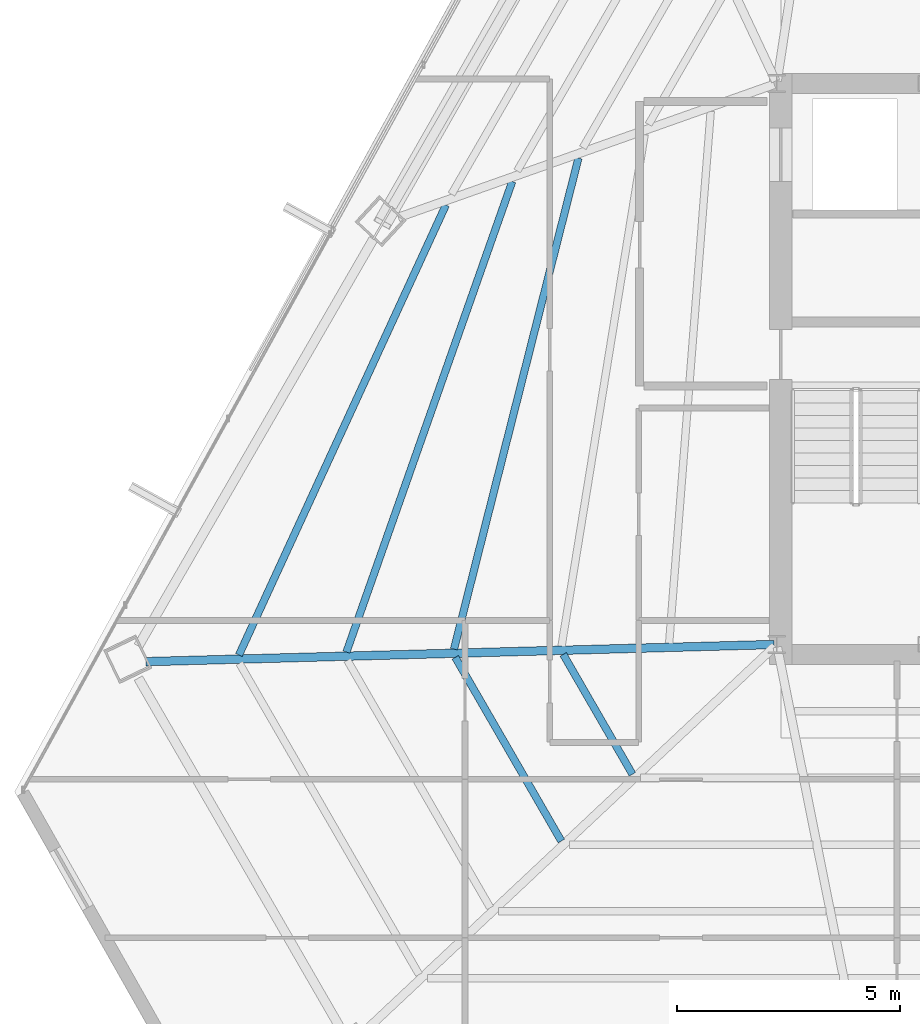
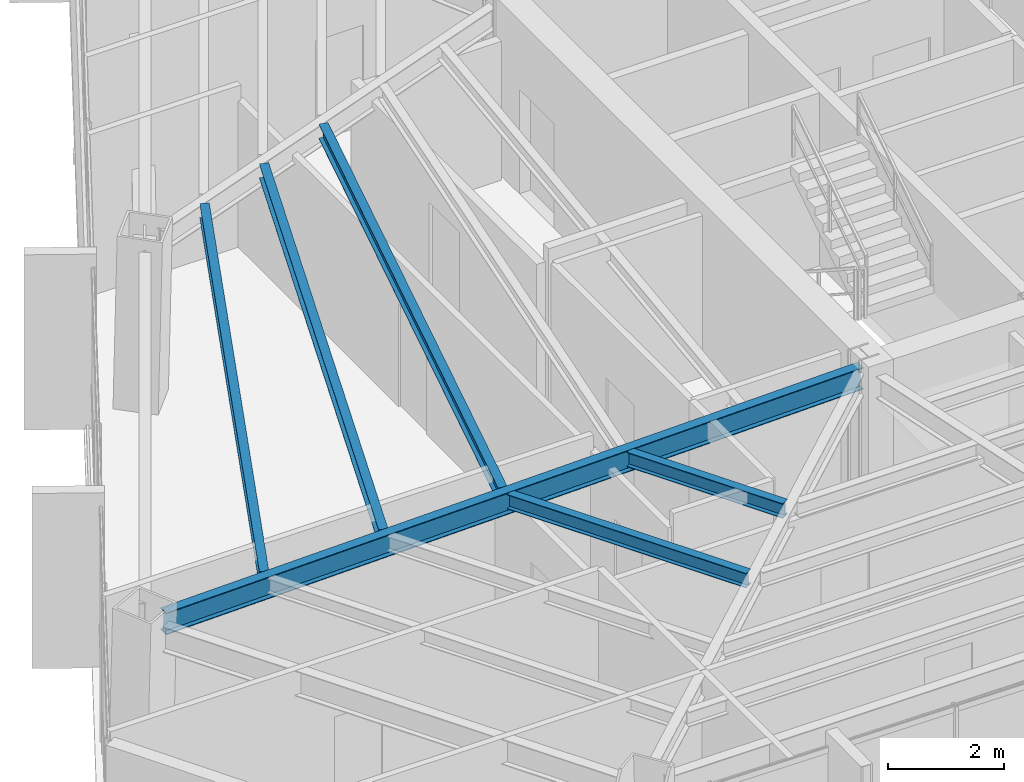
# One storey, part 8 of 42: 6 beams.
"""IFC4 building model written with IfcOpenShell, lengths in metres."""

from ifc_helpers import new_model, si_unit, direction, frame, origin, origin_2d, place, context, subcontext, project, spatial, i_section, extrude, source, transform, mapped, material, material_profile, profile_set, type_object, type_shapes, element, save


model = new_model("IFC4")

# Units and contexts
model_context = context("Model", 3, precision=1e-05, world=origin(), true_north=direction((0.0, 1.0)))
body_context = subcontext(model_context, "Body", "Model", "MODEL_VIEW")
ifc_project = project(units=[si_unit("LENGTHUNIT", "METRE"), si_unit("AREAUNIT", "SQUARE_METRE"), si_unit("VOLUMEUNIT", "CUBIC_METRE"), si_unit("PLANEANGLEUNIT", "RADIAN"), si_unit("MASSUNIT", "GRAM", prefix="KILO")], contexts=[model_context])

# Site, building, storey
site_placement = place(None, origin())
site = spatial("IfcSite", under=ifc_project, at=site_placement, CompositionType="ELEMENT")
building_placement = place(site_placement, origin())
building = spatial("IfcBuilding", under=site, at=building_placement, Name="Caelisora Broadcast Tower", CompositionType="ELEMENT")
storey_placement = place(building_placement, frame((0.0, 0.0, 205.949951171875)))
storey = spatial("IfcBuildingStorey", under=building, at=storey_placement, Name="L54", CompositionType="ELEMENT", Elevation=205.949951171875)

# Beams
ifc_material = material(Name="Steel Grade 350 (AS/NZS 3679.1)", Category="steel")
ifc_material_profile_1 = material_profile(ifc_material, i_section(OverallWidth=0.19091796875, OverallDepth=0.46044921875, WebThickness=0.010009765625, FlangeThickness=0.01611328125, at=origin_2d()), Name="Steel Grade 350 (AS/NZS 3679.1)")
ifc_profile_set_1 = profile_set([ifc_material_profile_1], Name="Steel Grade 350 (AS/NZS 3679.1)")
beam_type_1 = type_object("IfcBeamType", Name="PG06", PredefinedType="BEAM", material=ifc_profile_set_1)
shared_shape_1 = source(origin(), body_context, "Body", "SweptSolid", [
    extrude(i_section(OverallWidth=0.19091796875, OverallDepth=0.46044921875, WebThickness=0.010009765625, FlangeThickness=0.01611328125, at=origin_2d()), origin(), (0.0, 0.0, 1.0), 14.116943359375),
])
type_shapes(beam_type_1, [shared_shape_1])
beam_1_placement = place(storey_placement, frame((30.43994140625, 17.3984375, 3.169921875), z_axis=(-0.999627075798, -0.027307678979, 0.0), x_axis=(0.027307678979, -0.999627075798, 0.0)))
element("IfcBeam", 1, at=beam_1_placement, inside=storey, type_object=beam_type_1, Name="L54 beam PG06", PredefinedType="BEAM", context=body_context, shape_type="MappedRepresentation", body=[
    mapped(shared_shape_1, transform((0.0, 0.0, 0.0), scale=1.0)),
])
ifc_material_profile_2 = material_profile(ifc_material, i_section(OverallWidth=0.166015625, OverallDepth=0.30712890625, WebThickness=0.006591796875, FlangeThickness=0.01171875, at=origin_2d()), Name="Steel Grade 350 (AS/NZS 3679.1)")
ifc_profile_set_2 = profile_set([ifc_material_profile_2], Name="Steel Grade 350 (AS/NZS 3679.1)")
beam_type_2 = type_object("IfcBeamType", Name="SB03", PredefinedType="JOIST", material=ifc_profile_set_2)
shared_shape_2 = source(origin(), body_context, "Body", "SweptSolid", [
    extrude(i_section(OverallWidth=0.166015625, OverallDepth=0.30712890625, WebThickness=0.006591796875, FlangeThickness=0.01171875, at=origin_2d()), origin(), (0.0, 0.0, 1.0), 11.37890625),
])
beam_2_placement = place(storey_placement, frame((26.0458984375, 28.32470703125, 3.246337890625), z_axis=(-0.245709757546, -0.969343445352, 0.0), x_axis=(0.969343445352, -0.245709757546, 0.0)))
element("IfcBeam", 2, at=beam_2_placement, inside=storey, type_object=beam_type_2, Name="L54 beam SB03", PredefinedType="JOIST", context=body_context, shape_type="MappedRepresentation", body=[
    mapped(shared_shape_2, transform((0.0, 0.0, 0.0), scale=1.0)),
])
shared_shape_3 = source(origin(), body_context, "Body", "SweptSolid", [
    extrude(i_section(OverallWidth=0.166015625, OverallDepth=0.30712890625, WebThickness=0.006591796875, FlangeThickness=0.01171875, at=origin_2d()), origin(), (0.0, 0.0, 1.0), 11.20556640625),
])
beam_3_placement = place(storey_placement, frame((24.55810546875, 27.797607421875, 3.246337890625), z_axis=(-0.332281007338, -0.943180434573, 0.0), x_axis=(0.943180434573, -0.332281007338, 0.0)))
element("IfcBeam", 3, at=beam_3_placement, inside=storey, type_object=beam_type_2, Name="L54 beam SB03", PredefinedType="JOIST", context=body_context, shape_type="MappedRepresentation", body=[
    mapped(shared_shape_3, transform((0.0, 0.0, 0.0), scale=1.0)),
])
shared_shape_4 = source(origin(), body_context, "Body", "SweptSolid", [
    extrude(i_section(OverallWidth=0.166015625, OverallDepth=0.30712890625, WebThickness=0.006591796875, FlangeThickness=0.01171875, at=origin_2d()), origin(), (0.0, 0.0, 1.0), 11.124267578125),
])
beam_4_placement = place(storey_placement, frame((23.068115234375, 27.27001953125, 3.246337890625), z_axis=(-0.417795474173, -0.908541106258, 0.0), x_axis=(0.908541106258, -0.417795474173, 0.0)))
element("IfcBeam", 4, at=beam_4_placement, inside=storey, type_object=beam_type_2, Name="L54 beam SB03", PredefinedType="JOIST", context=body_context, shape_type="MappedRepresentation", body=[
    mapped(shared_shape_4, transform((0.0, 0.0, 0.0), scale=1.0)),
])
shared_shape_5 = source(origin(), body_context, "Body", "SweptSolid", [
    extrude(i_section(OverallWidth=0.166015625, OverallDepth=0.30712890625, WebThickness=0.006591796875, FlangeThickness=0.01171875, at=origin_2d()), origin(), (0.0, 0.0, 1.0), 3.108642578125),
])
beam_5_placement = place(storey_placement, frame((25.70361328125, 17.176025390625, 3.246337890625), z_axis=(0.499973998632, -0.866040415161, 0.0), x_axis=(0.866040415161, 0.499973998632, 0.0)))
element("IfcBeam", 5, at=beam_5_placement, inside=storey, type_object=beam_type_2, Name="L54 beam SB03", PredefinedType="JOIST", context=body_context, shape_type="MappedRepresentation", body=[
    mapped(shared_shape_5, transform((0.0, 0.0, 0.0), scale=1.0)),
])
shared_shape_6 = source(origin(), body_context, "Body", "SweptSolid", [
    extrude(i_section(OverallWidth=0.166015625, OverallDepth=0.30712890625, WebThickness=0.006591796875, FlangeThickness=0.01171875, at=origin_2d()), origin(), (0.0, 0.0, 1.0), 4.76318359375),
])
type_shapes(beam_type_2, [shared_shape_2, shared_shape_3, shared_shape_4, shared_shape_5, shared_shape_6])
beam_6_placement = place(storey_placement, frame((23.279052734375, 17.10986328125, 3.246337890625), z_axis=(0.500003454086, -0.866023409558, 0.0), x_axis=(0.866023409558, 0.500003454086, 0.0)))
element("IfcBeam", 6, at=beam_6_placement, inside=storey, type_object=beam_type_2, Name="L54 beam SB03", PredefinedType="JOIST", context=body_context, shape_type="MappedRepresentation", body=[
    mapped(shared_shape_6, transform((0.0, 0.0, 0.0), scale=1.0)),
])

save(model, "model.ifc")
